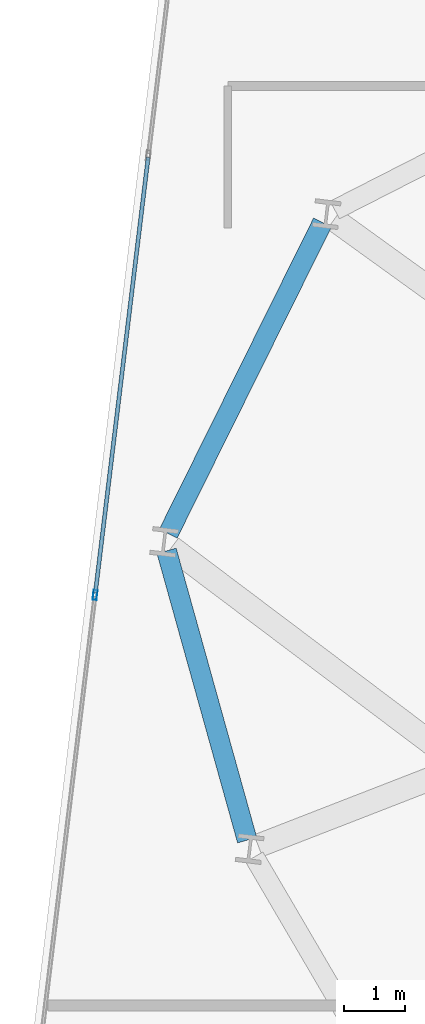
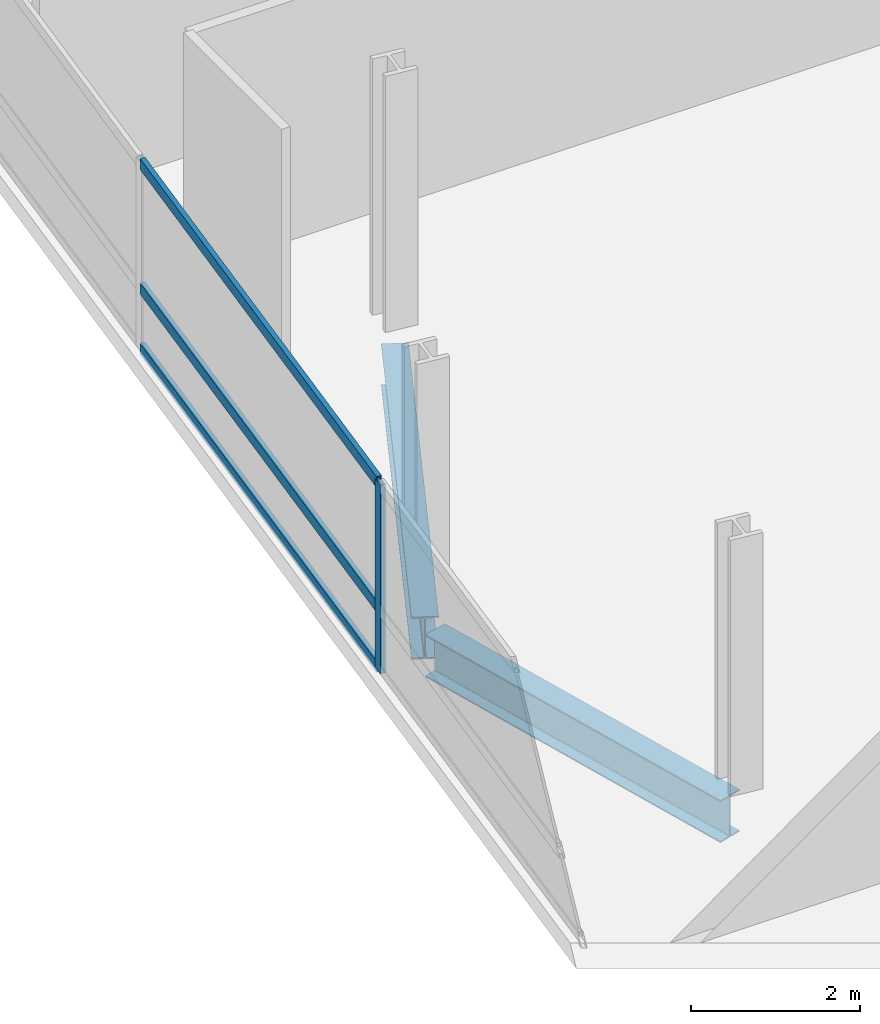
# One storey, part 8 of 26: 4 members, 2 beams, 1 element without a shape of its own.
"""IFC4 building model written with IfcOpenShell, lengths in metres."""

from ifc_helpers import new_model, si_unit, direction, frame, origin, origin_2d, place, context, subcontext, project, spatial, hollow_rectangle, i_section, extrude, material, layer, layer_set, material_profile, profile_set, type_object, element, aggregate, save


model = new_model("IFC4")

# Units and contexts
model_context = context("Model", 3, precision=1e-05, world=origin(), true_north=direction((0.0, 1.0)))
body_context = subcontext(model_context, "Body", "Model", "MODEL_VIEW")
ifc_project = project(units=[si_unit("LENGTHUNIT", "METRE"), si_unit("AREAUNIT", "SQUARE_METRE"), si_unit("VOLUMEUNIT", "CUBIC_METRE"), si_unit("PLANEANGLEUNIT", "RADIAN"), si_unit("MASSUNIT", "GRAM", prefix="KILO")], contexts=[model_context])

# Site, building, storey
site_placement = place(None, origin())
site = spatial("IfcSite", under=ifc_project, at=site_placement, CompositionType="ELEMENT")
building_placement = place(site_placement, origin())
building = spatial("IfcBuilding", under=site, at=building_placement, Name="Varnelok Gate Tower", CompositionType="ELEMENT")
storey_placement = place(building_placement, frame((0.0, 0.0, 143.89990234375)))
storey = spatial("IfcBuildingStorey", under=building, at=storey_placement, Name="L36", CompositionType="ELEMENT", Elevation=143.89990234375)

# Beams
ifc_material_1 = material(Name="Structural Steel ASTM A992 Grade 50", Category="steel")
ifc_material_profile_1 = material_profile(ifc_material_1, i_section(OverallWidth=0.323974609375, OverallDepth=0.611083984375, WebThickness=0.0126953125, FlangeThickness=0.01904296875, FilletRadius=0.01806640625, at=origin_2d()), Name="W24X104")
ifc_profile_set_1 = profile_set([ifc_material_profile_1], Name="Structural Steel ASTM A992 Grade 50")
beam_type = type_object("IfcBeamType", Name="BM-SPN-W24X104", PredefinedType="SPANDREL", material=ifc_profile_set_1)
beam_1_placement = place(storey_placement, frame((6.54052734375, 39.391357421875, -0.555419921875), z_axis=(-0.444186129993, -0.89593452993, 0.0), x_axis=(0.89593452993, -0.444186129993, 0.0)))
element("IfcBeam", 1, at=beam_1_placement, inside=storey, type_object=beam_type, Name="L36 Perimeter Spandrel Beam 14", PredefinedType="SPANDREL", context=body_context, shape_type="SweptSolid", body=[
    extrude(i_section(OverallWidth=0.323974609375, OverallDepth=0.611083984375, WebThickness=0.0126953125, FlangeThickness=0.01904296875, FilletRadius=0.01806640625, at=origin_2d()), origin(), (0.0, 0.0, 1.0), 5.649658203125),
])
beam_2_placement = place(storey_placement, frame((4.004638671875, 34.050537109375, -0.555419921875), z_axis=(0.268350251133, -0.963321411948, 0.0), x_axis=(0.963321411948, 0.268350251133, 0.0)))
element("IfcBeam", 2, at=beam_2_placement, inside=storey, type_object=beam_type, Name="L36 Perimeter Spandrel Beam 15", PredefinedType="SPANDREL", context=body_context, shape_type="SweptSolid", body=[
    extrude(i_section(OverallWidth=0.323974609375, OverallDepth=0.611083984375, WebThickness=0.0126953125, FlangeThickness=0.01904296875, FilletRadius=0.01806640625, at=origin_2d()), origin(), (0.0, 0.0, 1.0), 4.8837890625),
])

# Curtain wall, members
ifc_material_2 = material(Name="Anodized Aluminum Alloy 6063-T6", Category="aluminium")
ifc_layer = layer(ifc_material_2, 0.179931640625)
ifc_layer_set = layer_set([ifc_layer], Name="Anodized Aluminum Alloy 6063-T6")
curtain_wall_type = type_object("IfcCurtainWallType", Name="CW3-HOTEL-VISION", PredefinedType="USERDEFINED", material=ifc_layer_set)
curtain_wall_placement = place(storey_placement, origin())
curtain_wall = element("IfcCurtainWall", 3, at=curtain_wall_placement, inside=storey, type_object=curtain_wall_type, Name="L36 West End Vision Curtain Wall", ObjectType="UNITISED CURTAIN WALL", PredefinedType="USERDEFINED")
ifc_material_profile_2 = material_profile(ifc_material_2, hollow_rectangle(XDim=0.06494140625, YDim=0.159912109375, WallThickness=0.00390625, at=origin_2d()), Name="ALU160X65X4")
ifc_profile_set_2 = profile_set([ifc_material_profile_2], Name="Anodized Aluminum Alloy 6063-T6")
member_type_1 = type_object("IfcMemberType", Name="CW-MULL-160", PredefinedType="MULLION", material=ifc_profile_set_2)
member_1_placement = place(storey_placement, frame((2.842529296875, 33.333740234375, 0.0), z_axis=(0.0, 0.0, 1.0), x_axis=(-0.99273188146, 0.120347046212, 0.0)))
member_1 = element("IfcMember", 4, at=member_1_placement, type_object=member_type_1, Name="CW3 mullion 4", PredefinedType="MULLION", context=body_context, shape_type="SweptSolid", body=[
    extrude(hollow_rectangle(XDim=0.06494140625, YDim=0.159912109375, WallThickness=0.00390625, at=origin_2d()), origin(), (0.0, 0.0, 1.0), 2.72998046875),
])
ifc_material_profile_3 = material_profile(ifc_material_2, hollow_rectangle(XDim=0.06494140625, YDim=0.159912109375, WallThickness=0.00390625, at=origin_2d()), Name="ALU160X65X4")
ifc_profile_set_3 = profile_set([ifc_material_profile_3], Name="Anodized Aluminum Alloy 6063-T6")
member_type_2 = type_object("IfcMemberType", Name="CW-TRAN-160", PredefinedType="USERDEFINED", material=ifc_profile_set_3)
member_2_placement = place(storey_placement, frame((2.846435546875, 33.3662109375, 0.03271484375), z_axis=(0.120344652138, 0.992732171687, 0.0), x_axis=(-0.992732171687, 0.120344652138, 0.0)))
member_2 = element("IfcMember", 5, at=member_2_placement, type_object=member_type_2, Name="CW3 transom 4.1", ObjectType="TRANSOM", PredefinedType="USERDEFINED", context=body_context, shape_type="SweptSolid", body=[
    extrude(hollow_rectangle(XDim=0.06494140625, YDim=0.159912109375, WallThickness=0.00390625, at=origin_2d()), origin(), (0.0, 0.0, 1.0), 7.134765625),
])
member_3_placement = place(storey_placement, frame((2.846435546875, 33.3662109375, 0.900146484375), z_axis=(0.120344652138, 0.992732171687, 0.0), x_axis=(-0.992732171687, 0.120344652138, 0.0)))
member_3 = element("IfcMember", 6, at=member_3_placement, type_object=member_type_2, Name="CW3 transom 4.2", ObjectType="TRANSOM", PredefinedType="USERDEFINED", context=body_context, shape_type="SweptSolid", body=[
    extrude(hollow_rectangle(XDim=0.06494140625, YDim=0.159912109375, WallThickness=0.00390625, at=origin_2d()), origin(), (0.0, 0.0, 1.0), 7.134765625),
])
member_4_placement = place(storey_placement, frame((2.846435546875, 33.3662109375, 2.697509765625), z_axis=(0.120344652138, 0.992732171687, 0.0), x_axis=(-0.992732171687, 0.120344652138, 0.0)))
member_4 = element("IfcMember", 7, at=member_4_placement, type_object=member_type_2, Name="CW3 transom 4.3", ObjectType="TRANSOM", PredefinedType="USERDEFINED", context=body_context, shape_type="SweptSolid", body=[
    extrude(hollow_rectangle(XDim=0.06494140625, YDim=0.159912109375, WallThickness=0.00390625, at=origin_2d()), origin(), (0.0, 0.0, 1.0), 7.134765625),
])
aggregate(curtain_wall, [member_1, member_2, member_3, member_4])

save(model, "model.ifc")
